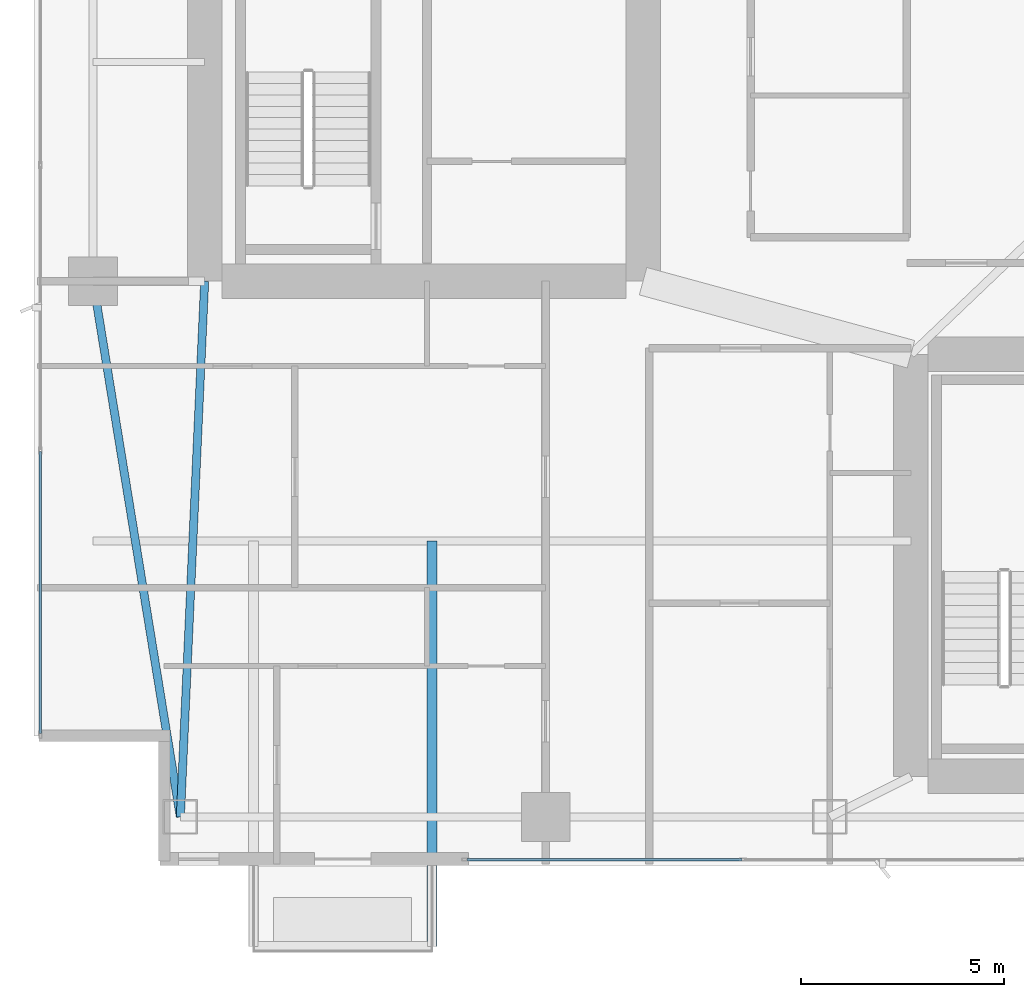
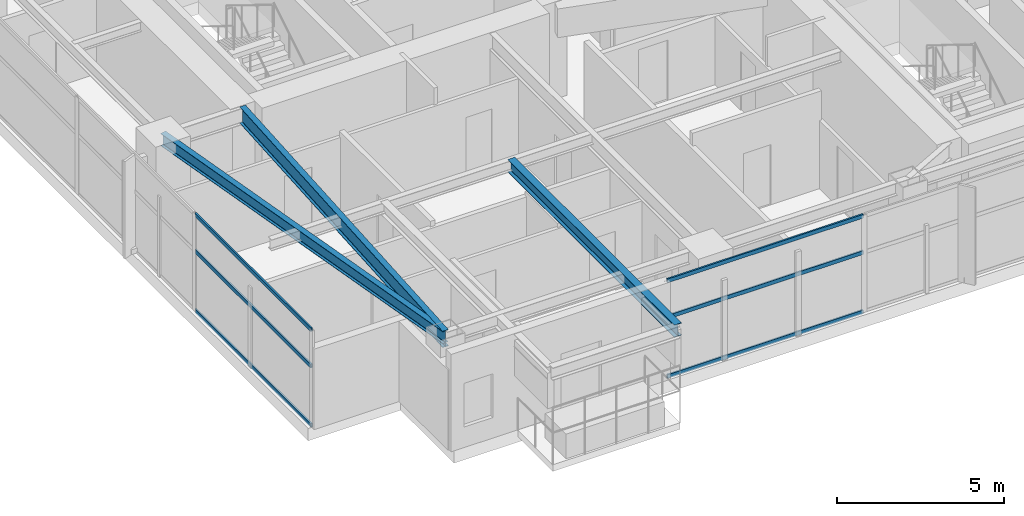
# One storey, part 3 of 30: 6 members, 3 beams, 2 elements without a shape of their own.
"""IFC4 building model written with IfcOpenShell, lengths in metres."""

from ifc_helpers import new_model, si_unit, direction, frame, origin, origin_2d, place, context, subcontext, project, spatial, hollow_rectangle, i_section, extrude, material, layer, layer_set, material_profile, profile_set, type_object, element, aggregate, save


model = new_model("IFC4")

# Units and contexts
model_context = context("Model", 3, precision=1e-05, world=origin(), true_north=direction((0.0, 1.0)))
body_context = subcontext(model_context, "Body", "Model", "MODEL_VIEW")
ifc_project = project(units=[si_unit("LENGTHUNIT", "METRE"), si_unit("AREAUNIT", "SQUARE_METRE"), si_unit("VOLUMEUNIT", "CUBIC_METRE"), si_unit("PLANEANGLEUNIT", "RADIAN"), si_unit("MASSUNIT", "GRAM", prefix="KILO")], contexts=[model_context])

# Site, building, storey
site_placement = place(None, origin())
site = spatial("IfcSite", under=ifc_project, at=site_placement, CompositionType="ELEMENT")
building_placement = place(site_placement, origin())
building = spatial("IfcBuilding", under=site, at=building_placement, Name="Calvorn Quay Hotel", CompositionType="ELEMENT")
storey_placement = place(building_placement, frame((0.0, 0.0, 191.300048828125)))
storey = spatial("IfcBuildingStorey", under=building, at=storey_placement, Name="L47", CompositionType="ELEMENT", Elevation=191.300048828125)

# Beams
ifc_material_1 = material(Name="Steel Q355B", Category="steel")
ifc_material_profile_1 = material_profile(ifc_material_1, i_section(OverallWidth=0.25, OverallDepth=0.449951171875, WebThickness=0.011962890625, FlangeThickness=0.01611328125, FilletRadius=0.01611328125, at=origin_2d()), Name="HN450x250x12x16")
ifc_profile_set_1 = profile_set([ifc_material_profile_1], Name="Steel Q355B")
beam_type_1 = type_object("IfcBeamType", Name="BM-CANT-BALC", PredefinedType="BEAM", material=ifc_profile_set_1)
beam_1_placement = place(storey_placement, frame((9.800048828125, 10.39990234375, 3.31494140625), z_axis=(0.0, -1.0, 0.0), x_axis=(1.0, 0.0, 0.0)))
element("IfcBeam", 1, at=beam_1_placement, inside=storey, type_object=beam_type_1, Name="Cantilever Balcony Beam BCB-L48-2B", PredefinedType="BEAM", context=body_context, shape_type="SweptSolid", body=[
    extrude(i_section(OverallWidth=0.25, OverallDepth=0.449951171875, WebThickness=0.011962890625, FlangeThickness=0.01611328125, FilletRadius=0.01611328125, at=origin_2d()), origin(), (0.0, 0.0, 1.0), 9.989990234375),
])
ifc_material_2 = material(Name="Steel Q355B", Category="steel")
ifc_material_profile_2 = material_profile(ifc_material_2, i_section(OverallWidth=0.199951171875, OverallDepth=0.60009765625, WebThickness=0.010986328125, FlangeThickness=0.01708984375, FilletRadius=0.01806640625, at=origin_2d()), Name="HN600x200x11x17")
ifc_profile_set_2 = profile_set([ifc_material_profile_2], Name="Steel Q355B")
beam_type_2 = type_object("IfcBeamType", Name="BM-GIRD-TYP", PredefinedType="BEAM", material=ifc_profile_set_2)
beam_2_placement = place(storey_placement, frame((3.60009765625, 3.60009765625, 3.239990234375), z_axis=(0.045396765494, 0.998969035397, 0.0), x_axis=(-0.998969035397, 0.045396765494, 0.0)))
element("IfcBeam", 2, at=beam_2_placement, inside=storey, type_object=beam_type_2, Name="Beam BG-L47-W0", PredefinedType="BEAM", context=body_context, shape_type="SweptSolid", body=[
    extrude(i_section(OverallWidth=0.199951171875, OverallDepth=0.60009765625, WebThickness=0.010986328125, FlangeThickness=0.01708984375, FilletRadius=0.01806640625, at=origin_2d()), origin(), (0.0, 0.0, 1.0), 13.213623046875),
])
ifc_material_3 = material(Name="Steel Q355B", Category="steel")
ifc_material_profile_3 = material_profile(ifc_material_3, i_section(OverallWidth=0.199951171875, OverallDepth=0.449951171875, WebThickness=0.009033203125, FlangeThickness=0.013916015625, FilletRadius=0.01611328125, at=origin_2d()), Name="HN450x200x9x14")
ifc_profile_set_3 = profile_set([ifc_material_profile_3], Name="Steel Q355B")
beam_type_3 = type_object("IfcBeamType", Name="BM-SPANDREL-Z3", PredefinedType="SPANDREL", material=ifc_profile_set_3)
beam_3_placement = place(storey_placement, frame((3.60009765625, 3.60009765625, 3.31494140625), z_axis=(-0.16077155054, 0.986991645627, 0.0), x_axis=(-0.986991645627, -0.16077155054, 0.0)))
element("IfcBeam", 3, at=beam_3_placement, inside=storey, type_object=beam_type_3, Name="Beam BSP-L47-W1", PredefinedType="SPANDREL", context=body_context, shape_type="SweptSolid", body=[
    extrude(i_section(OverallWidth=0.199951171875, OverallDepth=0.449951171875, WebThickness=0.009033203125, FlangeThickness=0.013916015625, FilletRadius=0.01611328125, at=origin_2d()), origin(), (0.0, 0.0, 1.0), 13.3740234375),
])

# Curtain wall, members
ifc_material_4 = material(Name="Champagne Bronze Anodised Aluminium and Low-E Glass", Category="aluminium")
ifc_layer = layer(ifc_material_4, 0.219970703125)
ifc_layer_set = layer_set([ifc_layer], Name="CW-SYS-Z3")
curtain_wall_type = type_object("IfcCurtainWallType", Name="CW-SYS-Z3", PredefinedType="NOTDEFINED", material=ifc_layer_set)
curtain_wall_1_placement = place(storey_placement, origin())
curtain_wall_1 = element("IfcCurtainWall", 4, at=curtain_wall_1_placement, inside=storey, type_object=curtain_wall_type, Name="Tower West Curtain Wall (L47)", PredefinedType="NOTDEFINED")
ifc_material_5 = material(Name="Champagne Bronze Anodised Aluminium 6063-T6", Category="aluminium")
ifc_material_profile_4 = material_profile(ifc_material_5, hollow_rectangle(XDim=0.05810546875, YDim=0.139892578125, WallThickness=0.003173828125, at=origin_2d()), Name="ALU-T140x58x3.2")
ifc_profile_set_4 = profile_set([ifc_material_profile_4], Name="Champagne Bronze Anodised Aluminium 6063-T6")
member_type = type_object("IfcMemberType", Name="CW-SYS-Z3-TRN", PredefinedType="USERDEFINED", material=ifc_profile_set_4)
member_1_placement = place(storey_placement, frame((0.14990234375, 5.659912109375, 0.030029296875), z_axis=(0.0, 1.0, 0.0), x_axis=(-1.0, 0.0, 0.0)))
member_1 = element("IfcMember", 5, at=member_1_placement, type_object=member_type, Name="CW-L47-W transom 1.1", ObjectType="TRANSOM", PredefinedType="USERDEFINED", context=body_context, shape_type="SweptSolid", body=[
    extrude(hollow_rectangle(XDim=0.05810546875, YDim=0.139892578125, WallThickness=0.003173828125, at=origin_2d()), origin(), (0.0, 0.0, 1.0), 6.943359375),
])
member_2_placement = place(storey_placement, frame((0.14990234375, 5.659912109375, 2.199951171875), z_axis=(0.0, 1.0, 0.0), x_axis=(-1.0, 0.0, 0.0)))
member_2 = element("IfcMember", 6, at=member_2_placement, type_object=member_type, Name="CW-L47-W transom 1.2", ObjectType="TRANSOM", PredefinedType="USERDEFINED", context=body_context, shape_type="SweptSolid", body=[
    extrude(hollow_rectangle(XDim=0.05810546875, YDim=0.139892578125, WallThickness=0.003173828125, at=origin_2d()), origin(), (0.0, 0.0, 1.0), 6.943359375),
])
member_3_placement = place(storey_placement, frame((0.14990234375, 5.659912109375, 3.530029296875), z_axis=(0.0, 1.0, 0.0), x_axis=(-1.0, 0.0, 0.0)))
member_3 = element("IfcMember", 7, at=member_3_placement, type_object=member_type, Name="CW-L47-W transom 1.3", ObjectType="TRANSOM", PredefinedType="USERDEFINED", context=body_context, shape_type="SweptSolid", body=[
    extrude(hollow_rectangle(XDim=0.05810546875, YDim=0.139892578125, WallThickness=0.003173828125, at=origin_2d()), origin(), (0.0, 0.0, 1.0), 6.943359375),
])
aggregate(curtain_wall_1, [member_1, member_2, member_3])

curtain_wall_2_placement = place(storey_placement, origin())
curtain_wall_2 = element("IfcCurtainWall", 8, at=curtain_wall_2_placement, inside=storey, type_object=curtain_wall_type, Name="Tower South Waterfront Curtain Wall (L47)", PredefinedType="NOTDEFINED")
member_4_placement = place(storey_placement, frame((10.659912109375, 2.550048828125, 0.030029296875), z_axis=(1.0, 0.0, 0.0), x_axis=(0.0, 1.0, 0.0)))
member_4 = element("IfcMember", 9, at=member_4_placement, type_object=member_type, Name="CW-L47-S transom 1.1", ObjectType="TRANSOM", PredefinedType="USERDEFINED", context=body_context, shape_type="SweptSolid", body=[
    extrude(hollow_rectangle(XDim=0.05810546875, YDim=0.139892578125, WallThickness=0.003173828125, at=origin_2d()), origin(), (0.0, 0.0, 1.0), 6.77685546875),
])
member_5_placement = place(storey_placement, frame((10.659912109375, 2.550048828125, 2.199951171875), z_axis=(1.0, 0.0, 0.0), x_axis=(0.0, 1.0, 0.0)))
member_5 = element("IfcMember", 10, at=member_5_placement, type_object=member_type, Name="CW-L47-S transom 1.2", ObjectType="TRANSOM", PredefinedType="USERDEFINED", context=body_context, shape_type="SweptSolid", body=[
    extrude(hollow_rectangle(XDim=0.05810546875, YDim=0.139892578125, WallThickness=0.003173828125, at=origin_2d()), origin(), (0.0, 0.0, 1.0), 6.77685546875),
])
member_6_placement = place(storey_placement, frame((10.659912109375, 2.550048828125, 3.530029296875), z_axis=(1.0, 0.0, 0.0), x_axis=(0.0, 1.0, 0.0)))
member_6 = element("IfcMember", 11, at=member_6_placement, type_object=member_type, Name="CW-L47-S transom 1.3", ObjectType="TRANSOM", PredefinedType="USERDEFINED", context=body_context, shape_type="SweptSolid", body=[
    extrude(hollow_rectangle(XDim=0.05810546875, YDim=0.139892578125, WallThickness=0.003173828125, at=origin_2d()), origin(), (0.0, 0.0, 1.0), 6.77685546875),
])
aggregate(curtain_wall_2, [member_4, member_5, member_6])

save(model, "model.ifc")
